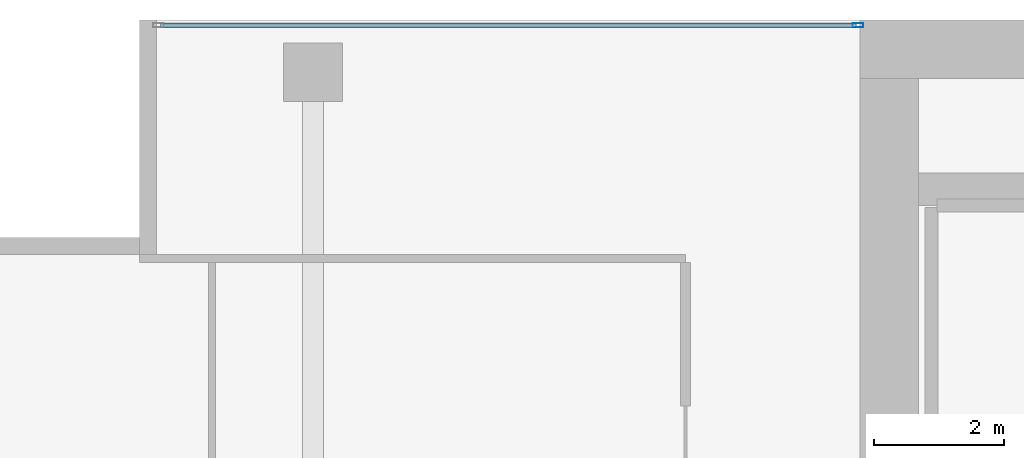
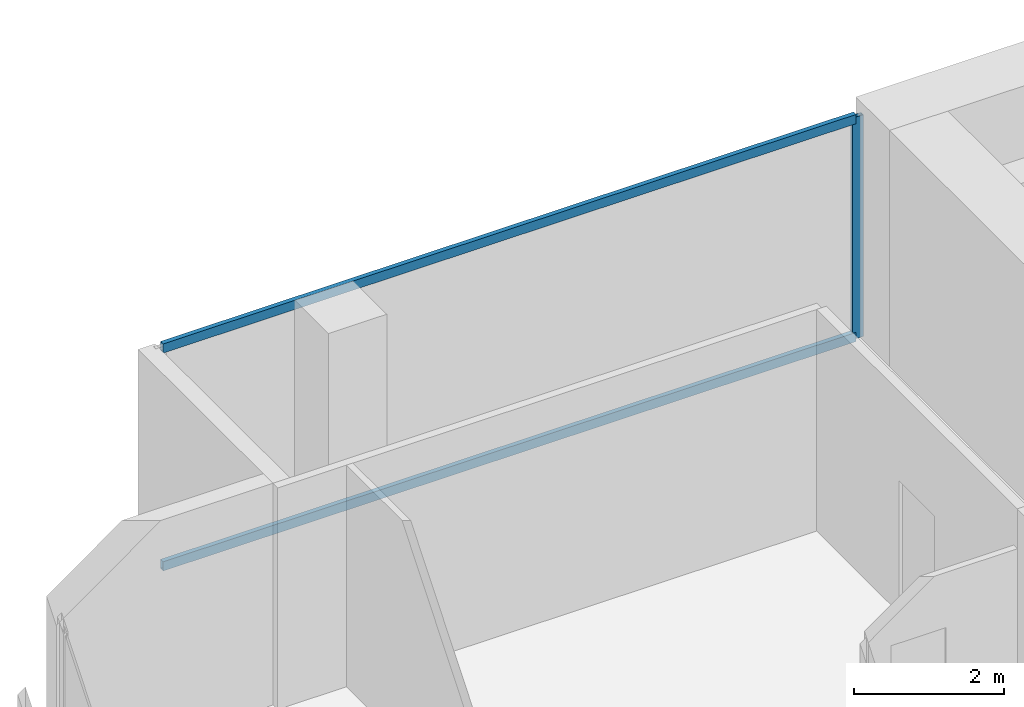
# One storey, part 26 of 40: 3 members, 1 element without a shape of its own.
"""IFC4 building model written with IfcOpenShell, lengths in metres."""

from ifc_helpers import new_model, si_unit, direction, frame, origin, origin_2d, place, context, subcontext, project, spatial, hollow_rectangle, extrude, material, layer, layer_set, material_profile, profile_set, type_object, element, aggregate, save


model = new_model("IFC4")

# Units and contexts
model_context = context("Model", 3, precision=1e-05, world=origin(), true_north=direction((0.0, 1.0)))
body_context = subcontext(model_context, "Body", "Model", "MODEL_VIEW")
ifc_project = project(units=[si_unit("LENGTHUNIT", "METRE"), si_unit("AREAUNIT", "SQUARE_METRE"), si_unit("VOLUMEUNIT", "CUBIC_METRE"), si_unit("PLANEANGLEUNIT", "RADIAN"), si_unit("MASSUNIT", "GRAM", prefix="KILO")], contexts=[model_context])

# Site, building, storey
site_placement = place(None, origin())
site = spatial("IfcSite", under=ifc_project, at=site_placement, CompositionType="ELEMENT")
building_placement = place(site_placement, origin())
building = spatial("IfcBuilding", under=site, at=building_placement, Name="Maruvema Waterfront Hotel and Observation Tower", CompositionType="ELEMENT")
storey_placement = place(building_placement, frame((0.0, 0.0, 96.25)))
storey = spatial("IfcBuildingStorey", under=building, at=storey_placement, Name="L23", CompositionType="ELEMENT", Elevation=96.25)

# Curtain wall, members
ifc_material_1 = material(Name="Anodised bronze aluminium and solar-control low-E IGU", Category="aluminium")
ifc_layer = layer(ifc_material_1, 0.159912109375, Name="Zone 1 Bronze Inner Thermal Curtain Wall System CW-02")
ifc_layer_set = layer_set([ifc_layer], Name="Anodised bronze aluminium and solar-control low-E IGU")
curtain_wall_type = type_object("IfcCurtainWallType", Name="Zone 1 Bronze Inner Thermal Curtain Wall System CW-02", PredefinedType="USERDEFINED", material=ifc_layer_set)
curtain_wall_placement = place(storey_placement, origin())
curtain_wall = element("IfcCurtainWall", 1, at=curtain_wall_placement, inside=storey, type_object=curtain_wall_type, Name="L23 Curtain Wall CW-L23-NW", ObjectType="UNITISED CURTAIN WALL", PredefinedType="USERDEFINED")
ifc_material_2 = material(Name="Anodised architectural bronze aluminium", Category="aluminium")
ifc_material_profile_1 = material_profile(ifc_material_2, hollow_rectangle(XDim=0.070068359375, YDim=0.14990234375, WallThickness=0.00390625, at=origin_2d()), Name="ALU-T70x150")
ifc_profile_set_1 = profile_set([ifc_material_profile_1], Name="Anodised architectural bronze aluminium")
member_type_1 = type_object("IfcMemberType", Name="Curtain Wall Horizontal Transom ALU-T70x150", PredefinedType="USERDEFINED", material=ifc_profile_set_1)
member_1_placement = place(storey_placement, frame((25.139892578125, 53.919921875, 0.030029296875), z_axis=(-1.0, 0.0, 0.0), x_axis=(0.0, -1.0, 0.0)))
member_1 = element("IfcMember", 2, at=member_1_placement, type_object=member_type_1, Name="CW-02 transom 1.1", ObjectType="TRANSOM", PredefinedType="USERDEFINED", context=body_context, shape_type="SweptSolid", body=[
    extrude(hollow_rectangle(XDim=0.070068359375, YDim=0.14990234375, WallThickness=0.00390625, at=origin_2d()), origin(), (0.0, 0.0, 1.0), 10.679931640625),
])
member_2_placement = place(storey_placement, frame((25.139892578125, 53.919921875, 3.580078125), z_axis=(-1.0, 0.0, 0.0), x_axis=(0.0, -1.0, 0.0)))
member_2 = element("IfcMember", 3, at=member_2_placement, type_object=member_type_1, Name="CW-02 transom 1.2", ObjectType="TRANSOM", PredefinedType="USERDEFINED", context=body_context, shape_type="SweptSolid", body=[
    extrude(hollow_rectangle(XDim=0.070068359375, YDim=0.14990234375, WallThickness=0.00390625, at=origin_2d()), origin(), (0.0, 0.0, 1.0), 10.679931640625),
])
ifc_material_3 = material(Name="Anodised architectural bronze aluminium", Category="aluminium")
ifc_material_profile_2 = material_profile(ifc_material_3, hollow_rectangle(XDim=0.06494140625, YDim=0.1650390625, WallThickness=0.00390625, at=origin_2d()), Name="ALU-M65x165")
ifc_profile_set_2 = profile_set([ifc_material_profile_2], Name="Anodised architectural bronze aluminium")
member_type_2 = type_object("IfcMemberType", Name="Curtain Wall Primary Mullion ALU-M65x165", PredefinedType="MULLION", material=ifc_profile_set_2)
member_3_placement = place(storey_placement, frame((25.169921875, 53.919921875, 0.0), z_axis=(0.0, 0.0, 1.0), x_axis=(0.0, -1.0, 0.0)))
member_3 = element("IfcMember", 4, at=member_3_placement, type_object=member_type_2, Name="CW-02 mullion 1", PredefinedType="MULLION", context=body_context, shape_type="SweptSolid", body=[
    extrude(hollow_rectangle(XDim=0.06494140625, YDim=0.1650390625, WallThickness=0.00390625, at=origin_2d()), origin(), (0.0, 0.0, 1.0), 3.610107421875),
])
aggregate(curtain_wall, [member_3, member_1, member_2])

save(model, "model.ifc")
